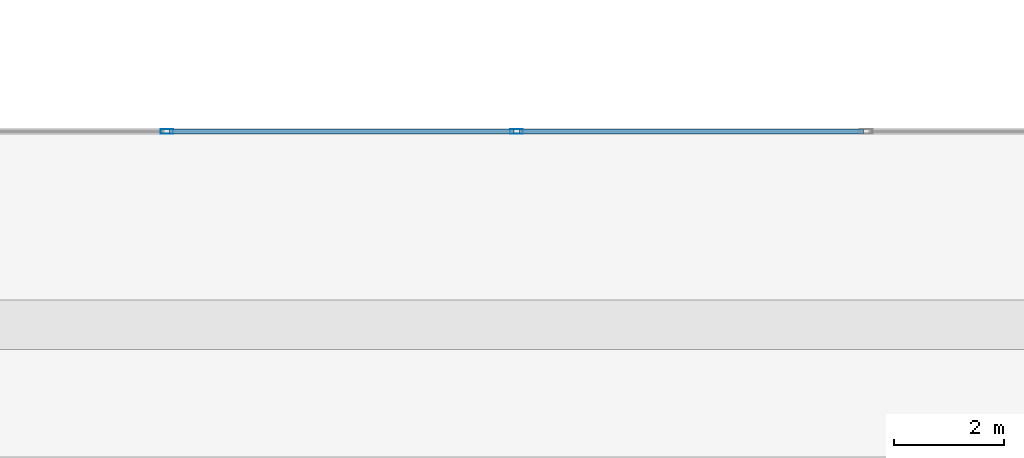
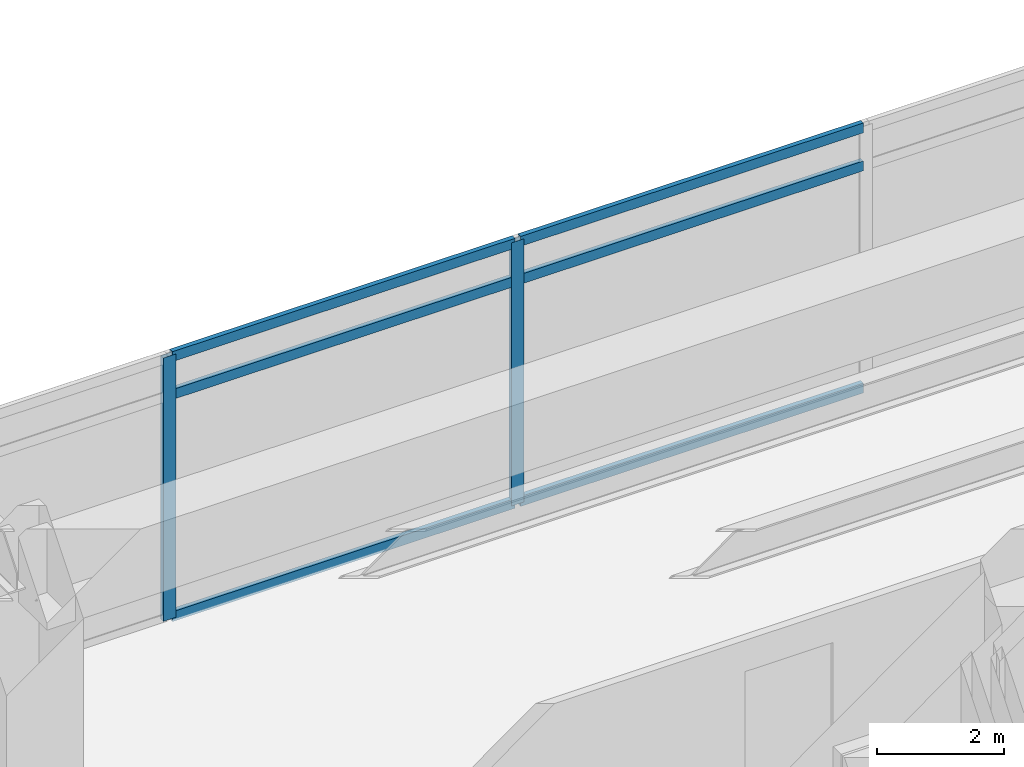
# One storey, part 14 of 21: 8 members, 1 element without a shape of its own.
"""IFC4 building model written with IfcOpenShell, lengths in metres."""

from ifc_helpers import new_model, si_unit, direction, frame, origin, origin_2d, place, context, subcontext, project, spatial, hollow_rectangle, extrude, material, material_profile, profile_set, type_object, element, aggregate, save


model = new_model("IFC4")

# Units and contexts
model_context = context("Model", 3, precision=1e-05, world=origin(), true_north=direction((0.0, 1.0)))
body_context = subcontext(model_context, "Body", "Model", "MODEL_VIEW")
ifc_project = project(units=[si_unit("LENGTHUNIT", "METRE"), si_unit("AREAUNIT", "SQUARE_METRE"), si_unit("VOLUMEUNIT", "CUBIC_METRE"), si_unit("PLANEANGLEUNIT", "RADIAN"), si_unit("MASSUNIT", "GRAM", prefix="KILO")], contexts=[model_context])

# Site, building, storey
site_placement = place(None, origin())
site = spatial("IfcSite", under=ifc_project, at=site_placement, CompositionType="ELEMENT")
building_placement = place(site_placement, origin())
building = spatial("IfcBuilding", under=site, at=building_placement, Name="Kovane Verandah Tower", CompositionType="ELEMENT")
storey_placement = place(building_placement, frame((0.0, 0.0, 189.39990234375)))
storey = spatial("IfcBuildingStorey", under=building, at=storey_placement, Name="L44", CompositionType="ELEMENT", Elevation=189.39990234375)

# Curtain wall, members
ifc_material_1 = material(Name="Champagne Anodised Aluminium Frame with Low-E Clear Laminated Glass", Category="aluminium")
curtain_wall_type = type_object("IfcCurtainWallType", Name="CW-SYS-04-WAIST", PredefinedType="NOTDEFINED", material=ifc_material_1)
curtain_wall_placement = place(storey_placement, origin())
curtain_wall = element("IfcCurtainWall", 1, at=curtain_wall_placement, inside=storey, type_object=curtain_wall_type, Name="L44 N Unitised Curtain Wall", PredefinedType="NOTDEFINED")
ifc_material_2 = material(Name="Champagne Anodised Aluminium 6063-T6", Category="aluminium")
ifc_material_profile_1 = material_profile(ifc_material_2, hollow_rectangle(XDim=0.0849609375, YDim=0.22998046875, WallThickness=0.00390625, at=origin_2d()), Name="AL85x230x4")
ifc_profile_set_1 = profile_set([ifc_material_profile_1], Name="Champagne Anodised Aluminium 6063-T6")
member_type_1 = type_object("IfcMemberType", Name="CW-MUL-85x230", PredefinedType="MULLION", material=ifc_profile_set_1)
member_1_placement = place(storey_placement, frame((40.0, 47.699951171875, 0.02001953125), z_axis=(0.0, 0.0, 1.0), x_axis=(0.0, 1.0, 0.0)))
member_1 = element("IfcMember", 2, at=member_1_placement, type_object=member_type_1, Name="L44 N Unitised Curtain Wall Mullion 4", PredefinedType="MULLION", context=body_context, shape_type="SweptSolid", body=[
    extrude(hollow_rectangle(XDim=0.0849609375, YDim=0.22998046875, WallThickness=0.00390625, at=origin_2d()), origin(), (0.0, 0.0, 1.0), 5.06005859375),
])
member_2_placement = place(storey_placement, frame((33.666748046875, 47.699951171875, 0.02001953125), z_axis=(0.0, 0.0, 1.0), x_axis=(0.0, 1.0, 0.0)))
member_2 = element("IfcMember", 3, at=member_2_placement, type_object=member_type_1, Name="L44 N Unitised Curtain Wall Mullion 5", PredefinedType="MULLION", context=body_context, shape_type="SweptSolid", body=[
    extrude(hollow_rectangle(XDim=0.0849609375, YDim=0.22998046875, WallThickness=0.00390625, at=origin_2d()), origin(), (0.0, 0.0, 1.0), 5.06005859375),
])
ifc_material_profile_2 = material_profile(ifc_material_2, hollow_rectangle(XDim=0.0849609375, YDim=0.18994140625, WallThickness=0.00390625, at=origin_2d()), Name="AL85x190x4")
ifc_profile_set_2 = profile_set([ifc_material_profile_2], Name="Champagne Anodised Aluminium 6063-T6")
member_type_2 = type_object("IfcMemberType", Name="CW-TRN-85x190", PredefinedType="USERDEFINED", material=ifc_profile_set_2)
member_3_placement = place(storey_placement, frame((46.283203125, 47.699951171875, 0.050048828125), z_axis=(-1.0, 0.0, 0.0), x_axis=(0.0, -1.0, 0.0)))
member_3 = element("IfcMember", 4, at=member_3_placement, type_object=member_type_2, Name="L44 N Unitised Curtain Wall Transom TB Bay 3", ObjectType="TRANSOM", PredefinedType="USERDEFINED", context=body_context, shape_type="SweptSolid", body=[
    extrude(hollow_rectangle(XDim=0.0849609375, YDim=0.18994140625, WallThickness=0.00390625, at=origin_2d()), origin(), (0.0, 0.0, 1.0), 6.233154296875),
])
member_4_placement = place(storey_placement, frame((46.283203125, 47.699951171875, 4.320068359375), z_axis=(-1.0, 0.0, 0.0), x_axis=(0.0, -1.0, 0.0)))
member_4 = element("IfcMember", 5, at=member_4_placement, type_object=member_type_2, Name="L44 N Unitised Curtain Wall Transom TM Bay 3", ObjectType="TRANSOM", PredefinedType="USERDEFINED", context=body_context, shape_type="SweptSolid", body=[
    extrude(hollow_rectangle(XDim=0.0849609375, YDim=0.18994140625, WallThickness=0.00390625, at=origin_2d()), origin(), (0.0, 0.0, 1.0), 6.233154296875),
])
member_5_placement = place(storey_placement, frame((46.283203125, 47.699951171875, 5.050048828125), z_axis=(-1.0, 0.0, 0.0), x_axis=(0.0, -1.0, 0.0)))
member_5 = element("IfcMember", 6, at=member_5_placement, type_object=member_type_2, Name="L44 N Unitised Curtain Wall Transom TT Bay 3", ObjectType="TRANSOM", PredefinedType="USERDEFINED", context=body_context, shape_type="SweptSolid", body=[
    extrude(hollow_rectangle(XDim=0.0849609375, YDim=0.18994140625, WallThickness=0.00390625, at=origin_2d()), origin(), (0.0, 0.0, 1.0), 6.233154296875),
])
member_6_placement = place(storey_placement, frame((39.949951171875, 47.699951171875, 0.050048828125), z_axis=(-1.0, 0.0, 0.0), x_axis=(0.0, -1.0, 0.0)))
member_6 = element("IfcMember", 7, at=member_6_placement, type_object=member_type_2, Name="L44 N Unitised Curtain Wall Transom TB Bay 4", ObjectType="TRANSOM", PredefinedType="USERDEFINED", context=body_context, shape_type="SweptSolid", body=[
    extrude(hollow_rectangle(XDim=0.0849609375, YDim=0.18994140625, WallThickness=0.00390625, at=origin_2d()), origin(), (0.0, 0.0, 1.0), 6.233154296875),
])
member_7_placement = place(storey_placement, frame((39.949951171875, 47.699951171875, 4.320068359375), z_axis=(-1.0, 0.0, 0.0), x_axis=(0.0, -1.0, 0.0)))
member_7 = element("IfcMember", 8, at=member_7_placement, type_object=member_type_2, Name="L44 N Unitised Curtain Wall Transom TM Bay 4", ObjectType="TRANSOM", PredefinedType="USERDEFINED", context=body_context, shape_type="SweptSolid", body=[
    extrude(hollow_rectangle(XDim=0.0849609375, YDim=0.18994140625, WallThickness=0.00390625, at=origin_2d()), origin(), (0.0, 0.0, 1.0), 6.233154296875),
])
member_8_placement = place(storey_placement, frame((39.949951171875, 47.699951171875, 5.050048828125), z_axis=(-1.0, 0.0, 0.0), x_axis=(0.0, -1.0, 0.0)))
member_8 = element("IfcMember", 9, at=member_8_placement, type_object=member_type_2, Name="L44 N Unitised Curtain Wall Transom TT Bay 4", ObjectType="TRANSOM", PredefinedType="USERDEFINED", context=body_context, shape_type="SweptSolid", body=[
    extrude(hollow_rectangle(XDim=0.0849609375, YDim=0.18994140625, WallThickness=0.00390625, at=origin_2d()), origin(), (0.0, 0.0, 1.0), 6.233154296875),
])
aggregate(curtain_wall, [member_1, member_2, member_3, member_4, member_5, member_6, member_7, member_8])

save(model, "model.ifc")
